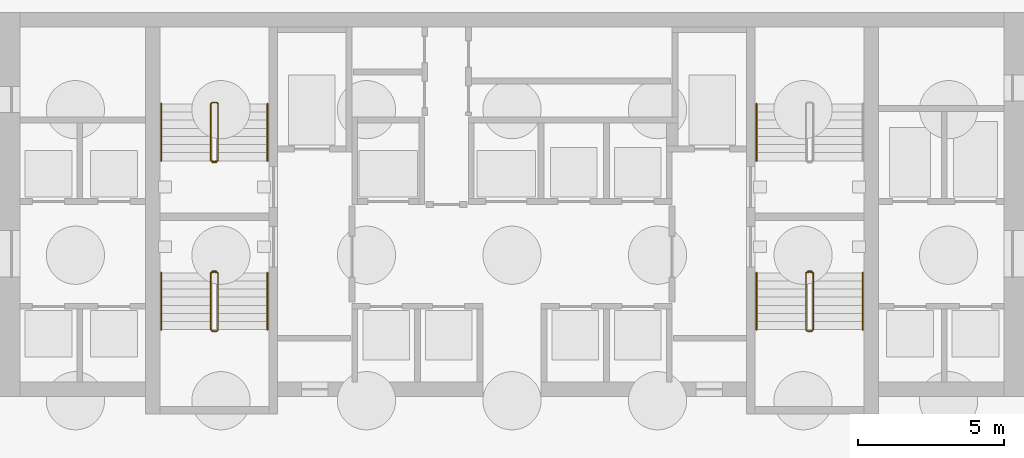
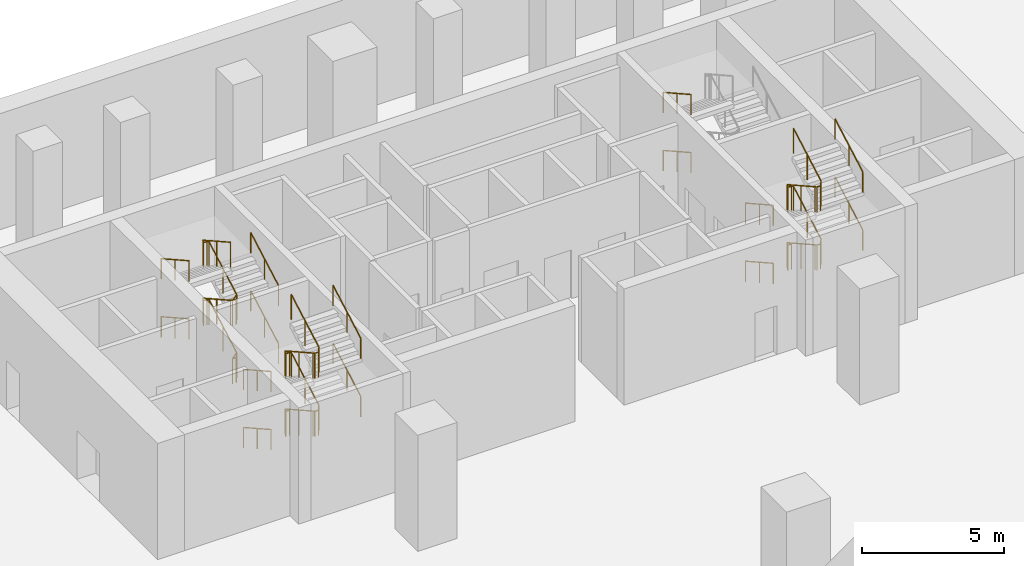
# One storey, part 21 of 27: 17 railings.
"""IFC4 building model written with IfcOpenShell, lengths in metres."""

from ifc_helpers import new_model, si_unit, direction, frame, origin, origin_2d, place, context, subcontext, project, spatial, circle, extrude, material, type_object, element, save


model = new_model("IFC4")

# Units and contexts
model_context = context("Model", 3, precision=1e-05, world=origin(), true_north=direction((0.0, 1.0)))
body_context = subcontext(model_context, "Body", "Model", "MODEL_VIEW")
ifc_project = project(units=[si_unit("LENGTHUNIT", "METRE"), si_unit("AREAUNIT", "SQUARE_METRE"), si_unit("VOLUMEUNIT", "CUBIC_METRE"), si_unit("PLANEANGLEUNIT", "RADIAN"), si_unit("MASSUNIT", "GRAM", prefix="KILO")], contexts=[model_context])

# Site, building, storey
site_placement = place(None, origin())
site = spatial("IfcSite", under=ifc_project, at=site_placement, CompositionType="ELEMENT")
building_placement = place(site_placement, origin())
building = spatial("IfcBuilding", under=site, at=building_placement, Name="Calabash Gate Tower", CompositionType="ELEMENT")
storey_placement = place(building_placement, frame((0.0, 0.0, -10.0)))
storey = spatial("IfcBuildingStorey", under=building, at=storey_placement, Name="B2", CompositionType="ELEMENT", Elevation=-10.0)

# Railings
ifc_material_1 = material(Name="Black powder-coated steel balusters", Category="steel")
railing_type_1 = type_object("IfcRailingType", Name="Stair guard RL1100", PredefinedType="GUARDRAIL", material=ifc_material_1)
railing_1_placement = place(storey_placement, frame((-10.14990234375, 13.902587890625, 0.0)))
element("IfcRailing", 1, at=railing_1_placement, inside=storey, type_object=railing_type_1, Name="B2 ST1 stair guard 1", PredefinedType="GUARDRAIL", context=body_context, shape_type="SweptSolid", body=[
    extrude(circle(Radius=0.02392578125, at=origin_2d()), frame((0.0, 0.0, 1.076171875), z_axis=(-1.0, 0.0, 0.0), x_axis=(0.0, -1.0, 0.0)), (0.0, 0.0, 1.0), 0.150146484375),
    extrude(circle(Radius=0.02392578125, at=origin_2d()), frame((-0.150146484375, 0.0, 1.076171875), z_axis=(0.77305925043, 0.19350078918, 0.604100024756), x_axis=(-0.242814311512, 0.970072785993, 0.0)), (0.0, 0.0, 1.0), 0.258544921875),
    extrude(circle(Radius=0.02392578125, at=origin_2d()), frame((0.0498046875, 0.050048828125, 1.232421875), z_axis=(0.0, 0.872479975208, 0.48864986735), x_axis=(-1.0, 0.0, 0.0)), (0.0, 0.0, 1.0), 2.23828125),
    extrude(circle(Radius=0.02392578125, at=origin_2d()), frame((0.0498046875, 2.0029296875, 2.326171875), z_axis=(-0.705375805398, 0.708833529934, 0.0), x_axis=(-0.708833529934, -0.705375805398, 0.0)), (0.0, 0.0, 1.0), 0.070556640625),
    extrude(circle(Radius=0.02392578125, at=origin_2d()), frame((0.0, 2.052978515625, 2.326171875), z_axis=(-1.0, 0.0, 0.0), x_axis=(0.0, -1.0, 0.0)), (0.0, 0.0, 1.0), 0.150146484375),
    extrude(circle(Radius=0.02392578125, at=origin_2d()), frame((-0.150146484375, 2.052978515625, 2.326171875), z_axis=(-0.29177245553, -0.29177245553, 0.91089937336), x_axis=(0.707106781187, -0.707106781187, 0.0)), (0.0, 0.0, 1.0), 0.171630859375),
    extrude(circle(Radius=0.02392578125, at=origin_2d()), frame((-0.2001953125, 2.0029296875, 2.482421875), z_axis=(0.0, -0.872479975208, 0.48864986735), x_axis=(1.0, 0.0, 0.0)), (0.0, 0.0, 1.0), 2.23828125),
    extrude(circle(Radius=0.02392578125, at=origin_2d()), frame((-0.2001953125, 0.050048828125, 3.576171875), z_axis=(0.970142500145, -0.242535625036, 0.0), x_axis=(0.242535625036, 0.970142500145, 0.0)), (0.0, 0.0, 1.0), 0.206298828125),
    extrude(circle(Radius=0.02392578125, at=origin_2d()), frame((0.0, 0.0, 3.576171875), z_axis=(-1.0, 0.0, 0.0), x_axis=(0.0, -1.0, 0.0)), (0.0, 0.0, 1.0), 0.150146484375),
    extrude(circle(Radius=0.02392578125, at=origin_2d()), frame((-0.150146484375, 0.0, 3.576171875), z_axis=(0.77305925043, 0.19350078918, 0.604100024756), x_axis=(-0.242814311512, 0.970072785993, 0.0)), (0.0, 0.0, 1.0), 0.258544921875),
    extrude(circle(Radius=0.02392578125, at=origin_2d()), frame((0.0498046875, 0.050048828125, 3.732421875), z_axis=(0.0, 0.872479975208, 0.48864986735), x_axis=(-1.0, 0.0, 0.0)), (0.0, 0.0, 1.0), 2.23828125),
    extrude(circle(Radius=0.02392578125, at=origin_2d()), frame((0.0498046875, 2.0029296875, 4.826171875), z_axis=(-0.705375805398, 0.708833529934, 0.0), x_axis=(-0.708833529934, -0.705375805398, 0.0)), (0.0, 0.0, 1.0), 0.070556640625),
    extrude(circle(Radius=0.02392578125, at=origin_2d()), frame((0.0, 2.052978515625, 4.826171875), z_axis=(-1.0, 0.0, 0.0), x_axis=(0.0, -1.0, 0.0)), (0.0, 0.0, 1.0), 0.150146484375),
    extrude(circle(Radius=0.02392578125, at=origin_2d()), frame((-0.150146484375, 2.052978515625, 4.826171875), z_axis=(-0.29177245553, -0.29177245553, 0.91089937336), x_axis=(0.707106781187, -0.707106781187, 0.0)), (0.0, 0.0, 1.0), 0.171630859375),
    extrude(circle(Radius=0.02392578125, at=origin_2d()), frame((-0.2001953125, 2.0029296875, 4.982421875), z_axis=(0.0, -0.872479975208, 0.48864986735), x_axis=(1.0, 0.0, 0.0)), (0.0, 0.0, 1.0), 2.23828125),
    extrude(circle(Radius=0.02099609375, at=origin_2d()), origin(), (0.0, 0.0, 1.0), 1.052001953125),
    extrude(circle(Radius=0.02099609375, at=origin_2d()), frame((-0.150146484375, 0.0, 0.0)), (0.0, 0.0, 1.0), 1.052001953125),
    extrude(circle(Radius=0.02099609375, at=origin_2d()), frame((0.0498046875, 0.050048828125, 0.15625)), (0.0, 0.0, 1.0), 1.052001953125),
    extrude(circle(Radius=0.02099609375, at=origin_2d()), frame((0.0498046875, 1.0263671875, 0.703125)), (0.0, 0.0, 1.0), 1.052001953125),
    extrude(circle(Radius=0.02099609375, at=origin_2d()), frame((0.0498046875, 2.0029296875, 1.25)), (0.0, 0.0, 1.0), 1.052001953125),
    extrude(circle(Radius=0.02099609375, at=origin_2d()), frame((0.0, 2.052978515625, 1.25)), (0.0, 0.0, 1.0), 1.052001953125),
    extrude(circle(Radius=0.02099609375, at=origin_2d()), frame((-0.150146484375, 2.052978515625, 1.25)), (0.0, 0.0, 1.0), 1.052001953125),
    extrude(circle(Radius=0.02099609375, at=origin_2d()), frame((-0.2001953125, 2.0029296875, 1.40625)), (0.0, 0.0, 1.0), 1.052001953125),
    extrude(circle(Radius=0.02099609375, at=origin_2d()), frame((-0.2001953125, 1.0263671875, 1.953125)), (0.0, 0.0, 1.0), 1.052001953125),
    extrude(circle(Radius=0.02099609375, at=origin_2d()), frame((-0.2001953125, 0.050048828125, 2.5)), (0.0, 0.0, 1.0), 1.052001953125),
    extrude(circle(Radius=0.02099609375, at=origin_2d()), frame((0.0, 0.0, 2.5)), (0.0, 0.0, 1.0), 1.052001953125),
    extrude(circle(Radius=0.02099609375, at=origin_2d()), frame((-0.150146484375, 0.0, 2.5)), (0.0, 0.0, 1.0), 1.052001953125),
    extrude(circle(Radius=0.02099609375, at=origin_2d()), frame((0.0498046875, 0.050048828125, 2.65625)), (0.0, 0.0, 1.0), 1.052001953125),
    extrude(circle(Radius=0.02099609375, at=origin_2d()), frame((0.0498046875, 1.0263671875, 3.203125)), (0.0, 0.0, 1.0), 1.052001953125),
    extrude(circle(Radius=0.02099609375, at=origin_2d()), frame((0.0498046875, 2.0029296875, 3.75)), (0.0, 0.0, 1.0), 1.052001953125),
    extrude(circle(Radius=0.02099609375, at=origin_2d()), frame((0.0, 2.052978515625, 3.75)), (0.0, 0.0, 1.0), 1.052001953125),
    extrude(circle(Radius=0.02099609375, at=origin_2d()), frame((-0.150146484375, 2.052978515625, 3.75)), (0.0, 0.0, 1.0), 1.052001953125),
    extrude(circle(Radius=0.02099609375, at=origin_2d()), frame((-0.2001953125, 2.0029296875, 3.90625)), (0.0, 0.0, 1.0), 1.052001953125),
    extrude(circle(Radius=0.02099609375, at=origin_2d()), frame((-0.2001953125, 1.0263671875, 4.453125)), (0.0, 0.0, 1.0), 1.052001953125),
    extrude(circle(Radius=0.02099609375, at=origin_2d()), frame((-0.2001953125, 0.050048828125, 5.0)), (0.0, 0.0, 1.0), 1.052001953125),
])
railing_2_placement = place(storey_placement, frame((-10.300048828125, 10.152587890625, 0.0)))
element("IfcRailing", 2, at=railing_2_placement, inside=storey, type_object=railing_type_1, Name="B2 ST2 stair guard 1", PredefinedType="GUARDRAIL", context=body_context, shape_type="SweptSolid", body=[
    extrude(circle(Radius=0.02392578125, at=origin_2d()), frame((0.0, 0.0, 1.076171875), z_axis=(1.0, 0.0, 0.0), x_axis=(0.0, 1.0, 0.0)), (0.0, 0.0, 1.0), 0.150146484375),
    extrude(circle(Radius=0.02392578125, at=origin_2d()), frame((0.150146484375, 0.0, 1.076171875), z_axis=(-0.773438643492, -0.193359660873, 0.603659429067), x_axis=(0.242535625036, -0.970142500145, 0.0)), (0.0, 0.0, 1.0), 0.2587890625),
    extrude(circle(Radius=0.02392578125, at=origin_2d()), frame((-0.050048828125, -0.050048828125, 1.232421875), z_axis=(0.0, -0.872479975208, 0.48864986735), x_axis=(1.0, 0.0, 0.0)), (0.0, 0.0, 1.0), 2.23828125),
    extrude(circle(Radius=0.02392578125, at=origin_2d()), frame((-0.050048828125, -2.0029296875, 2.326171875), z_axis=(0.707106781187, -0.707106781187, 0.0), x_axis=(0.707106781187, 0.707106781187, 0.0)), (0.0, 0.0, 1.0), 0.07080078125),
    extrude(circle(Radius=0.02392578125, at=origin_2d()), frame((0.0, -2.052978515625, 2.326171875), z_axis=(1.0, 0.0, 0.0), x_axis=(0.0, 1.0, 0.0)), (0.0, 0.0, 1.0), 0.150146484375),
    extrude(circle(Radius=0.02392578125, at=origin_2d()), frame((0.150146484375, -2.052978515625, 2.326171875), z_axis=(0.290469530425, 0.291893400672, 0.911276958196), x_axis=(-0.708833529934, 0.705375805398, 0.0)), (0.0, 0.0, 1.0), 0.17138671875),
    extrude(circle(Radius=0.02392578125, at=origin_2d()), frame((0.199951171875, -2.0029296875, 2.482421875), z_axis=(0.0, 0.872479975208, 0.48864986735), x_axis=(-1.0, 0.0, 0.0)), (0.0, 0.0, 1.0), 2.23828125),
    extrude(circle(Radius=0.02392578125, at=origin_2d()), frame((0.199951171875, -0.050048828125, 3.576171875), z_axis=(-0.970072785993, 0.242814311512, 0.0), x_axis=(-0.242814311512, -0.970072785993, 0.0)), (0.0, 0.0, 1.0), 0.2060546875),
    extrude(circle(Radius=0.02392578125, at=origin_2d()), frame((0.0, 0.0, 3.576171875), z_axis=(1.0, 0.0, 0.0), x_axis=(0.0, 1.0, 0.0)), (0.0, 0.0, 1.0), 0.150146484375),
    extrude(circle(Radius=0.02392578125, at=origin_2d()), frame((0.150146484375, 0.0, 3.576171875), z_axis=(-0.773438643492, -0.193359660873, 0.603659429067), x_axis=(0.242535625036, -0.970142500145, 0.0)), (0.0, 0.0, 1.0), 0.2587890625),
    extrude(circle(Radius=0.02392578125, at=origin_2d()), frame((-0.050048828125, -0.050048828125, 3.732421875), z_axis=(0.0, -0.872479975208, 0.48864986735), x_axis=(1.0, 0.0, 0.0)), (0.0, 0.0, 1.0), 2.23828125),
    extrude(circle(Radius=0.02392578125, at=origin_2d()), frame((-0.050048828125, -2.0029296875, 4.826171875), z_axis=(0.707106781187, -0.707106781187, 0.0), x_axis=(0.707106781187, 0.707106781187, 0.0)), (0.0, 0.0, 1.0), 0.07080078125),
    extrude(circle(Radius=0.02392578125, at=origin_2d()), frame((0.0, -2.052978515625, 4.826171875), z_axis=(1.0, 0.0, 0.0), x_axis=(0.0, 1.0, 0.0)), (0.0, 0.0, 1.0), 0.150146484375),
    extrude(circle(Radius=0.02392578125, at=origin_2d()), frame((0.150146484375, -2.052978515625, 4.826171875), z_axis=(0.290469530425, 0.291893400672, 0.911276958196), x_axis=(-0.708833529934, 0.705375805398, 0.0)), (0.0, 0.0, 1.0), 0.17138671875),
    extrude(circle(Radius=0.02392578125, at=origin_2d()), frame((0.199951171875, -2.0029296875, 4.982421875), z_axis=(0.0, 0.872479975208, 0.48864986735), x_axis=(-1.0, 0.0, 0.0)), (0.0, 0.0, 1.0), 2.23828125),
    extrude(circle(Radius=0.02099609375, at=origin_2d()), origin(), (0.0, 0.0, 1.0), 1.052001953125),
    extrude(circle(Radius=0.02099609375, at=origin_2d()), frame((0.150146484375, 0.0, 0.0)), (0.0, 0.0, 1.0), 1.052001953125),
    extrude(circle(Radius=0.02099609375, at=origin_2d()), frame((-0.050048828125, -0.050048828125, 0.15625)), (0.0, 0.0, 1.0), 1.052001953125),
    extrude(circle(Radius=0.02099609375, at=origin_2d()), frame((-0.050048828125, -1.0263671875, 0.703125)), (0.0, 0.0, 1.0), 1.052001953125),
    extrude(circle(Radius=0.02099609375, at=origin_2d()), frame((-0.050048828125, -2.0029296875, 1.25)), (0.0, 0.0, 1.0), 1.052001953125),
    extrude(circle(Radius=0.02099609375, at=origin_2d()), frame((0.0, -2.052978515625, 1.25)), (0.0, 0.0, 1.0), 1.052001953125),
    extrude(circle(Radius=0.02099609375, at=origin_2d()), frame((0.150146484375, -2.052978515625, 1.25)), (0.0, 0.0, 1.0), 1.052001953125),
    extrude(circle(Radius=0.02099609375, at=origin_2d()), frame((0.199951171875, -2.0029296875, 1.40625)), (0.0, 0.0, 1.0), 1.052001953125),
    extrude(circle(Radius=0.02099609375, at=origin_2d()), frame((0.199951171875, -1.0263671875, 1.953125)), (0.0, 0.0, 1.0), 1.052001953125),
    extrude(circle(Radius=0.02099609375, at=origin_2d()), frame((0.199951171875, -0.050048828125, 2.5)), (0.0, 0.0, 1.0), 1.052001953125),
    extrude(circle(Radius=0.02099609375, at=origin_2d()), frame((0.0, 0.0, 2.5)), (0.0, 0.0, 1.0), 1.052001953125),
    extrude(circle(Radius=0.02099609375, at=origin_2d()), frame((0.150146484375, 0.0, 2.5)), (0.0, 0.0, 1.0), 1.052001953125),
    extrude(circle(Radius=0.02099609375, at=origin_2d()), frame((-0.050048828125, -0.050048828125, 2.65625)), (0.0, 0.0, 1.0), 1.052001953125),
    extrude(circle(Radius=0.02099609375, at=origin_2d()), frame((-0.050048828125, -1.0263671875, 3.203125)), (0.0, 0.0, 1.0), 1.052001953125),
    extrude(circle(Radius=0.02099609375, at=origin_2d()), frame((-0.050048828125, -2.0029296875, 3.75)), (0.0, 0.0, 1.0), 1.052001953125),
    extrude(circle(Radius=0.02099609375, at=origin_2d()), frame((0.0, -2.052978515625, 3.75)), (0.0, 0.0, 1.0), 1.052001953125),
    extrude(circle(Radius=0.02099609375, at=origin_2d()), frame((0.150146484375, -2.052978515625, 3.75)), (0.0, 0.0, 1.0), 1.052001953125),
    extrude(circle(Radius=0.02099609375, at=origin_2d()), frame((0.199951171875, -2.0029296875, 3.90625)), (0.0, 0.0, 1.0), 1.052001953125),
    extrude(circle(Radius=0.02099609375, at=origin_2d()), frame((0.199951171875, -1.0263671875, 4.453125)), (0.0, 0.0, 1.0), 1.052001953125),
    extrude(circle(Radius=0.02099609375, at=origin_2d()), frame((0.199951171875, -0.050048828125, 5.0)), (0.0, 0.0, 1.0), 1.052001953125),
])
railing_3_placement = place(storey_placement, frame((10.14990234375, 10.152587890625, 0.0)))
element("IfcRailing", 3, at=railing_3_placement, inside=storey, type_object=railing_type_1, Name="B2 ST4 stair guard 1", PredefinedType="GUARDRAIL", context=body_context, shape_type="SweptSolid", body=[
    extrude(circle(Radius=0.02392578125, at=origin_2d()), frame((0.0, 0.0, 1.076171875), z_axis=(1.0, 0.0, 0.0), x_axis=(0.0, 1.0, 0.0)), (0.0, 0.0, 1.0), 0.150146484375),
    extrude(circle(Radius=0.02392578125, at=origin_2d()), frame((0.150146484375, 0.0, 1.076171875), z_axis=(-0.77305925043, -0.19350078918, 0.604100024756), x_axis=(0.242814311512, -0.970072785993, 0.0)), (0.0, 0.0, 1.0), 0.258544921875),
    extrude(circle(Radius=0.02392578125, at=origin_2d()), frame((-0.0498046875, -0.050048828125, 1.232421875), z_axis=(0.0, -0.872479975208, 0.48864986735), x_axis=(1.0, 0.0, 0.0)), (0.0, 0.0, 1.0), 2.23828125),
    extrude(circle(Radius=0.02392578125, at=origin_2d()), frame((-0.0498046875, -2.0029296875, 2.326171875), z_axis=(0.705375805398, -0.708833529934, 0.0), x_axis=(0.708833529934, 0.705375805398, 0.0)), (0.0, 0.0, 1.0), 0.070556640625),
    extrude(circle(Radius=0.02392578125, at=origin_2d()), frame((0.0, -2.052978515625, 2.326171875), z_axis=(1.0, 0.0, 0.0), x_axis=(0.0, 1.0, 0.0)), (0.0, 0.0, 1.0), 0.150146484375),
    extrude(circle(Radius=0.02392578125, at=origin_2d()), frame((0.150146484375, -2.052978515625, 2.326171875), z_axis=(0.29177245553, 0.29177245553, 0.91089937336), x_axis=(-0.707106781187, 0.707106781187, 0.0)), (0.0, 0.0, 1.0), 0.171630859375),
    extrude(circle(Radius=0.02392578125, at=origin_2d()), frame((0.2001953125, -2.0029296875, 2.482421875), z_axis=(0.0, 0.872479975208, 0.48864986735), x_axis=(-1.0, 0.0, 0.0)), (0.0, 0.0, 1.0), 2.23828125),
    extrude(circle(Radius=0.02392578125, at=origin_2d()), frame((0.2001953125, -0.050048828125, 3.576171875), z_axis=(-0.970142500145, 0.242535625036, 0.0), x_axis=(-0.242535625036, -0.970142500145, 0.0)), (0.0, 0.0, 1.0), 0.206298828125),
    extrude(circle(Radius=0.02392578125, at=origin_2d()), frame((0.0, 0.0, 3.576171875), z_axis=(1.0, 0.0, 0.0), x_axis=(0.0, 1.0, 0.0)), (0.0, 0.0, 1.0), 0.150146484375),
    extrude(circle(Radius=0.02392578125, at=origin_2d()), frame((0.150146484375, 0.0, 3.576171875), z_axis=(-0.77305925043, -0.19350078918, 0.604100024756), x_axis=(0.242814311512, -0.970072785993, 0.0)), (0.0, 0.0, 1.0), 0.258544921875),
    extrude(circle(Radius=0.02392578125, at=origin_2d()), frame((-0.0498046875, -0.050048828125, 3.732421875), z_axis=(0.0, -0.872479975208, 0.48864986735), x_axis=(1.0, 0.0, 0.0)), (0.0, 0.0, 1.0), 2.23828125),
    extrude(circle(Radius=0.02392578125, at=origin_2d()), frame((-0.0498046875, -2.0029296875, 4.826171875), z_axis=(0.705375805398, -0.708833529934, 0.0), x_axis=(0.708833529934, 0.705375805398, 0.0)), (0.0, 0.0, 1.0), 0.070556640625),
    extrude(circle(Radius=0.02392578125, at=origin_2d()), frame((0.0, -2.052978515625, 4.826171875), z_axis=(1.0, 0.0, 0.0), x_axis=(0.0, 1.0, 0.0)), (0.0, 0.0, 1.0), 0.150146484375),
    extrude(circle(Radius=0.02392578125, at=origin_2d()), frame((0.150146484375, -2.052978515625, 4.826171875), z_axis=(0.29177245553, 0.29177245553, 0.91089937336), x_axis=(-0.707106781187, 0.707106781187, 0.0)), (0.0, 0.0, 1.0), 0.171630859375),
    extrude(circle(Radius=0.02392578125, at=origin_2d()), frame((0.2001953125, -2.0029296875, 4.982421875), z_axis=(0.0, 0.872479975208, 0.48864986735), x_axis=(-1.0, 0.0, 0.0)), (0.0, 0.0, 1.0), 2.23828125),
    extrude(circle(Radius=0.02099609375, at=origin_2d()), origin(), (0.0, 0.0, 1.0), 1.052001953125),
    extrude(circle(Radius=0.02099609375, at=origin_2d()), frame((0.150146484375, 0.0, 0.0)), (0.0, 0.0, 1.0), 1.052001953125),
    extrude(circle(Radius=0.02099609375, at=origin_2d()), frame((-0.0498046875, -0.050048828125, 0.15625)), (0.0, 0.0, 1.0), 1.052001953125),
    extrude(circle(Radius=0.02099609375, at=origin_2d()), frame((-0.0498046875, -1.0263671875, 0.703125)), (0.0, 0.0, 1.0), 1.052001953125),
    extrude(circle(Radius=0.02099609375, at=origin_2d()), frame((-0.0498046875, -2.0029296875, 1.25)), (0.0, 0.0, 1.0), 1.052001953125),
    extrude(circle(Radius=0.02099609375, at=origin_2d()), frame((0.0, -2.052978515625, 1.25)), (0.0, 0.0, 1.0), 1.052001953125),
    extrude(circle(Radius=0.02099609375, at=origin_2d()), frame((0.150146484375, -2.052978515625, 1.25)), (0.0, 0.0, 1.0), 1.052001953125),
    extrude(circle(Radius=0.02099609375, at=origin_2d()), frame((0.2001953125, -2.0029296875, 1.40625)), (0.0, 0.0, 1.0), 1.052001953125),
    extrude(circle(Radius=0.02099609375, at=origin_2d()), frame((0.2001953125, -1.0263671875, 1.953125)), (0.0, 0.0, 1.0), 1.052001953125),
    extrude(circle(Radius=0.02099609375, at=origin_2d()), frame((0.2001953125, -0.050048828125, 2.5)), (0.0, 0.0, 1.0), 1.052001953125),
    extrude(circle(Radius=0.02099609375, at=origin_2d()), frame((0.0, 0.0, 2.5)), (0.0, 0.0, 1.0), 1.052001953125),
    extrude(circle(Radius=0.02099609375, at=origin_2d()), frame((0.150146484375, 0.0, 2.5)), (0.0, 0.0, 1.0), 1.052001953125),
    extrude(circle(Radius=0.02099609375, at=origin_2d()), frame((-0.0498046875, -0.050048828125, 2.65625)), (0.0, 0.0, 1.0), 1.052001953125),
    extrude(circle(Radius=0.02099609375, at=origin_2d()), frame((-0.0498046875, -1.0263671875, 3.203125)), (0.0, 0.0, 1.0), 1.052001953125),
    extrude(circle(Radius=0.02099609375, at=origin_2d()), frame((-0.0498046875, -2.0029296875, 3.75)), (0.0, 0.0, 1.0), 1.052001953125),
    extrude(circle(Radius=0.02099609375, at=origin_2d()), frame((0.0, -2.052978515625, 3.75)), (0.0, 0.0, 1.0), 1.052001953125),
    extrude(circle(Radius=0.02099609375, at=origin_2d()), frame((0.150146484375, -2.052978515625, 3.75)), (0.0, 0.0, 1.0), 1.052001953125),
    extrude(circle(Radius=0.02099609375, at=origin_2d()), frame((0.2001953125, -2.0029296875, 3.90625)), (0.0, 0.0, 1.0), 1.052001953125),
    extrude(circle(Radius=0.02099609375, at=origin_2d()), frame((0.2001953125, -1.0263671875, 4.453125)), (0.0, 0.0, 1.0), 1.052001953125),
    extrude(circle(Radius=0.02099609375, at=origin_2d()), frame((0.2001953125, -0.050048828125, 5.0)), (0.0, 0.0, 1.0), 1.052001953125),
])
ifc_material_2 = material(Name="Black powder-coated steel tube 48 mm", Category="steel")
railing_type_2 = type_object("IfcRailingType", Name="Stair handrail RL900", PredefinedType="HANDRAIL", material=ifc_material_2)
railing_4_placement = place(storey_placement, frame((-8.39990234375, 13.95263671875, 0.15625)))
element("IfcRailing", 4, at=railing_4_placement, inside=storey, type_object=railing_type_2, Name="B2 ST1 stair handrail 1", PredefinedType="HANDRAIL", context=body_context, shape_type="SweptSolid", body=[
    extrude(circle(Radius=0.02392578125, at=origin_2d()), frame((0.0, 0.0, 0.8759765625), z_axis=(0.0, 0.872479975208, 0.48864986735), x_axis=(-1.0, 0.0, 0.0)), (0.0, 0.0, 1.0), 2.23828125),
    extrude(circle(Radius=0.02099609375, at=origin_2d()), origin(), (0.0, 0.0, 1.0), 0.851806640625),
    extrude(circle(Radius=0.02099609375, at=origin_2d()), frame((0.0, 0.9765625, 0.546875)), (0.0, 0.0, 1.0), 0.851806640625),
    extrude(circle(Radius=0.02099609375, at=origin_2d()), frame((0.0, 1.952880859375, 1.09375)), (0.0, 0.0, 1.0), 0.851806640625),
])
railing_5_placement = place(storey_placement, frame((-12.050048828125, 15.905517578125, 1.40625)))
element("IfcRailing", 5, at=railing_5_placement, inside=storey, type_object=railing_type_2, Name="B2 ST1 stair handrail 2", PredefinedType="HANDRAIL", context=body_context, shape_type="SweptSolid", body=[
    extrude(circle(Radius=0.02392578125, at=origin_2d()), frame((0.0, 0.0, 0.8759765625), z_axis=(0.0, -0.872479975208, 0.48864986735), x_axis=(1.0, 0.0, 0.0)), (0.0, 0.0, 1.0), 2.23828125),
    extrude(circle(Radius=0.02099609375, at=origin_2d()), origin(), (0.0, 0.0, 1.0), 0.851806640625),
    extrude(circle(Radius=0.02099609375, at=origin_2d()), frame((0.0, -0.9765625, 0.546875)), (0.0, 0.0, 1.0), 0.851806640625),
    extrude(circle(Radius=0.02099609375, at=origin_2d()), frame((0.0, -1.952880859375, 1.09375)), (0.0, 0.0, 1.0), 0.851806640625),
])
railing_6_placement = place(storey_placement, frame((-8.39990234375, 13.95263671875, 2.65625)))
element("IfcRailing", 6, at=railing_6_placement, inside=storey, type_object=railing_type_2, Name="B2 ST1 stair handrail 3", PredefinedType="HANDRAIL", context=body_context, shape_type="SweptSolid", body=[
    extrude(circle(Radius=0.02392578125, at=origin_2d()), frame((0.0, 0.0, 0.8759765625), z_axis=(0.0, 0.872479975208, 0.48864986735), x_axis=(-1.0, 0.0, 0.0)), (0.0, 0.0, 1.0), 2.23828125),
    extrude(circle(Radius=0.02099609375, at=origin_2d()), origin(), (0.0, 0.0, 1.0), 0.851806640625),
    extrude(circle(Radius=0.02099609375, at=origin_2d()), frame((0.0, 0.9765625, 0.546875)), (0.0, 0.0, 1.0), 0.851806640625),
    extrude(circle(Radius=0.02099609375, at=origin_2d()), frame((0.0, 1.952880859375, 1.09375)), (0.0, 0.0, 1.0), 0.851806640625),
])
for number, where, name in (
    (7, (-12.050048828125, 15.905517578125, 3.90625), "B2 ST1 stair handrail 4"),
    (8, (-12.050048828125, 10.1025390625, 0.15625), "B2 ST2 stair handrail 1"),
):
    element("IfcRailing", number, at=place(storey_placement, frame(where)), inside=storey, type_object=railing_type_2, Name=name, PredefinedType="HANDRAIL", context=body_context, shape_type="SweptSolid", body=[
        extrude(circle(Radius=0.02392578125, at=origin_2d()), frame((0.0, 0.0, 0.8759765625), z_axis=(0.0, -0.872479975208, 0.48864986735), x_axis=(1.0, 0.0, 0.0)), (0.0, 0.0, 1.0), 2.23828125),
        extrude(circle(Radius=0.02099609375, at=origin_2d()), origin(), (0.0, 0.0, 1.0), 0.851806640625),
        extrude(circle(Radius=0.02099609375, at=origin_2d()), frame((0.0, -0.9765625, 0.546875)), (0.0, 0.0, 1.0), 0.851806640625),
        extrude(circle(Radius=0.02099609375, at=origin_2d()), frame((0.0, -1.952880859375, 1.09375)), (0.0, 0.0, 1.0), 0.851806640625),
    ])
railing_7_placement = place(storey_placement, frame((-8.39990234375, 8.149658203125, 1.40625)))
element("IfcRailing", 9, at=railing_7_placement, inside=storey, type_object=railing_type_2, Name="B2 ST2 stair handrail 2", PredefinedType="HANDRAIL", context=body_context, shape_type="SweptSolid", body=[
    extrude(circle(Radius=0.02392578125, at=origin_2d()), frame((0.0, 0.0, 0.8759765625), z_axis=(0.0, 0.872479975208, 0.48864986735), x_axis=(-1.0, 0.0, 0.0)), (0.0, 0.0, 1.0), 2.23828125),
    extrude(circle(Radius=0.02099609375, at=origin_2d()), origin(), (0.0, 0.0, 1.0), 0.851806640625),
    extrude(circle(Radius=0.02099609375, at=origin_2d()), frame((0.0, 0.9765625, 0.546875)), (0.0, 0.0, 1.0), 0.851806640625),
    extrude(circle(Radius=0.02099609375, at=origin_2d()), frame((0.0, 1.952880859375, 1.09375)), (0.0, 0.0, 1.0), 0.851806640625),
])
railing_8_placement = place(storey_placement, frame((-12.050048828125, 10.1025390625, 2.65625)))
element("IfcRailing", 10, at=railing_8_placement, inside=storey, type_object=railing_type_2, Name="B2 ST2 stair handrail 3", PredefinedType="HANDRAIL", context=body_context, shape_type="SweptSolid", body=[
    extrude(circle(Radius=0.02392578125, at=origin_2d()), frame((0.0, 0.0, 0.8759765625), z_axis=(0.0, -0.872479975208, 0.48864986735), x_axis=(1.0, 0.0, 0.0)), (0.0, 0.0, 1.0), 2.23828125),
    extrude(circle(Radius=0.02099609375, at=origin_2d()), origin(), (0.0, 0.0, 1.0), 0.851806640625),
    extrude(circle(Radius=0.02099609375, at=origin_2d()), frame((0.0, -0.9765625, 0.546875)), (0.0, 0.0, 1.0), 0.851806640625),
    extrude(circle(Radius=0.02099609375, at=origin_2d()), frame((0.0, -1.952880859375, 1.09375)), (0.0, 0.0, 1.0), 0.851806640625),
])
railing_9_placement = place(storey_placement, frame((-8.39990234375, 8.149658203125, 3.90625)))
element("IfcRailing", 11, at=railing_9_placement, inside=storey, type_object=railing_type_2, Name="B2 ST2 stair handrail 4", PredefinedType="HANDRAIL", context=body_context, shape_type="SweptSolid", body=[
    extrude(circle(Radius=0.02392578125, at=origin_2d()), frame((0.0, 0.0, 0.8759765625), z_axis=(0.0, 0.872479975208, 0.48864986735), x_axis=(-1.0, 0.0, 0.0)), (0.0, 0.0, 1.0), 2.23828125),
    extrude(circle(Radius=0.02099609375, at=origin_2d()), origin(), (0.0, 0.0, 1.0), 0.851806640625),
    extrude(circle(Radius=0.02099609375, at=origin_2d()), frame((0.0, 0.9765625, 0.546875)), (0.0, 0.0, 1.0), 0.851806640625),
    extrude(circle(Radius=0.02099609375, at=origin_2d()), frame((0.0, 1.952880859375, 1.09375)), (0.0, 0.0, 1.0), 0.851806640625),
])
for number, where, name in (
    (12, (8.39990234375, 15.905517578125, 1.40625), "B2 ST3 stair handrail 2"),
    (13, (8.39990234375, 15.905517578125, 3.90625), "B2 ST3 stair handrail 4"),
    (14, (8.39990234375, 10.1025390625, 0.15625), "B2 ST4 stair handrail 1"),
):
    element("IfcRailing", number, at=place(storey_placement, frame(where)), inside=storey, type_object=railing_type_2, Name=name, PredefinedType="HANDRAIL", context=body_context, shape_type="SweptSolid", body=[
        extrude(circle(Radius=0.02392578125, at=origin_2d()), frame((0.0, 0.0, 0.8759765625), z_axis=(0.0, -0.872479975208, 0.48864986735), x_axis=(1.0, 0.0, 0.0)), (0.0, 0.0, 1.0), 2.23828125),
        extrude(circle(Radius=0.02099609375, at=origin_2d()), origin(), (0.0, 0.0, 1.0), 0.851806640625),
        extrude(circle(Radius=0.02099609375, at=origin_2d()), frame((0.0, -0.9765625, 0.546875)), (0.0, 0.0, 1.0), 0.851806640625),
        extrude(circle(Radius=0.02099609375, at=origin_2d()), frame((0.0, -1.952880859375, 1.09375)), (0.0, 0.0, 1.0), 0.851806640625),
    ])
railing_10_placement = place(storey_placement, frame((12.050048828125, 8.149658203125, 1.40625)))
element("IfcRailing", 15, at=railing_10_placement, inside=storey, type_object=railing_type_2, Name="B2 ST4 stair handrail 2", PredefinedType="HANDRAIL", context=body_context, shape_type="SweptSolid", body=[
    extrude(circle(Radius=0.02392578125, at=origin_2d()), frame((0.0, 0.0, 0.8759765625), z_axis=(0.0, 0.872479975208, 0.48864986735), x_axis=(-1.0, 0.0, 0.0)), (0.0, 0.0, 1.0), 2.23828125),
    extrude(circle(Radius=0.02099609375, at=origin_2d()), origin(), (0.0, 0.0, 1.0), 0.851806640625),
    extrude(circle(Radius=0.02099609375, at=origin_2d()), frame((0.0, 0.9765625, 0.546875)), (0.0, 0.0, 1.0), 0.851806640625),
    extrude(circle(Radius=0.02099609375, at=origin_2d()), frame((0.0, 1.952880859375, 1.09375)), (0.0, 0.0, 1.0), 0.851806640625),
])
railing_11_placement = place(storey_placement, frame((8.39990234375, 10.1025390625, 2.65625)))
element("IfcRailing", 16, at=railing_11_placement, inside=storey, type_object=railing_type_2, Name="B2 ST4 stair handrail 3", PredefinedType="HANDRAIL", context=body_context, shape_type="SweptSolid", body=[
    extrude(circle(Radius=0.02392578125, at=origin_2d()), frame((0.0, 0.0, 0.8759765625), z_axis=(0.0, -0.872479975208, 0.48864986735), x_axis=(1.0, 0.0, 0.0)), (0.0, 0.0, 1.0), 2.23828125),
    extrude(circle(Radius=0.02099609375, at=origin_2d()), origin(), (0.0, 0.0, 1.0), 0.851806640625),
    extrude(circle(Radius=0.02099609375, at=origin_2d()), frame((0.0, -0.9765625, 0.546875)), (0.0, 0.0, 1.0), 0.851806640625),
    extrude(circle(Radius=0.02099609375, at=origin_2d()), frame((0.0, -1.952880859375, 1.09375)), (0.0, 0.0, 1.0), 0.851806640625),
])
railing_12_placement = place(storey_placement, frame((12.050048828125, 8.149658203125, 3.90625)))
element("IfcRailing", 17, at=railing_12_placement, inside=storey, type_object=railing_type_2, Name="B2 ST4 stair handrail 4", PredefinedType="HANDRAIL", context=body_context, shape_type="SweptSolid", body=[
    extrude(circle(Radius=0.02392578125, at=origin_2d()), frame((0.0, 0.0, 0.8759765625), z_axis=(0.0, 0.872479975208, 0.48864986735), x_axis=(-1.0, 0.0, 0.0)), (0.0, 0.0, 1.0), 2.23828125),
    extrude(circle(Radius=0.02099609375, at=origin_2d()), origin(), (0.0, 0.0, 1.0), 0.851806640625),
    extrude(circle(Radius=0.02099609375, at=origin_2d()), frame((0.0, 0.9765625, 0.546875)), (0.0, 0.0, 1.0), 0.851806640625),
    extrude(circle(Radius=0.02099609375, at=origin_2d()), frame((0.0, 1.952880859375, 1.09375)), (0.0, 0.0, 1.0), 0.851806640625),
])

save(model, "model.ifc")
